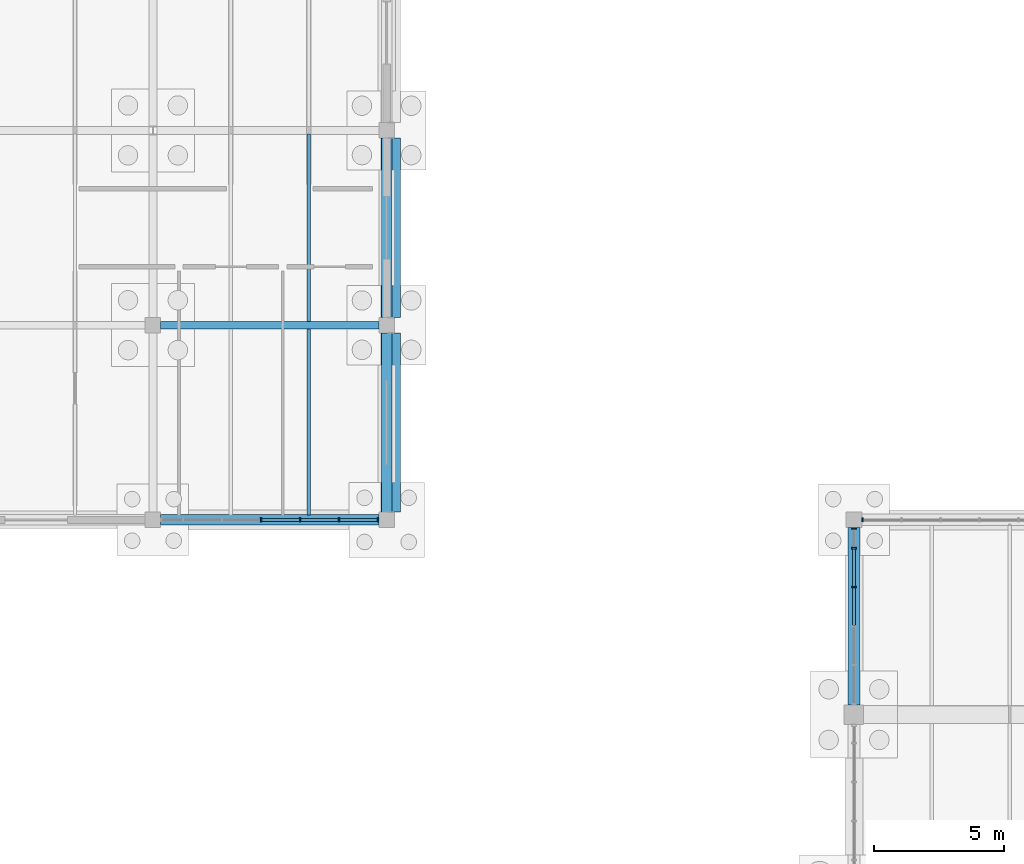
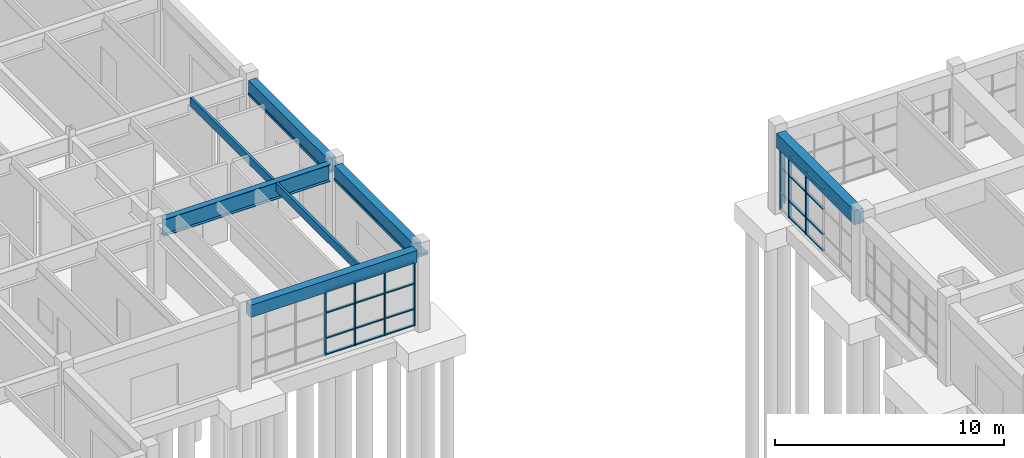
# One storey, part 31 of 93: 30 members, 7 beams, 3 elements without a shape of their own.
"""IFC4 building model written with IfcOpenShell, lengths in metres."""

from ifc_helpers import new_model, si_unit, direction, frame, origin, origin_2d, place, context, subcontext, project, spatial, rectangle, i_section, extrude, material, layer, layer_set, material_profile, profile_set, type_object, element, aggregate, save


model = new_model("IFC4")

# Units and contexts
model_context = context("Model", 3, precision=1e-05, world=origin(), true_north=direction((0.0, 1.0)))
body_context = subcontext(model_context, "Body", "Model", "MODEL_VIEW")
ifc_project = project(units=[si_unit("LENGTHUNIT", "METRE"), si_unit("AREAUNIT", "SQUARE_METRE"), si_unit("VOLUMEUNIT", "CUBIC_METRE"), si_unit("PLANEANGLEUNIT", "RADIAN"), si_unit("MASSUNIT", "GRAM", prefix="KILO")], contexts=[model_context])

# Site, building, storey
site_placement = place(None, origin())
site = spatial("IfcSite", under=ifc_project, at=site_placement, CompositionType="ELEMENT")
building_placement = place(site_placement, origin())
building = spatial("IfcBuilding", under=site, at=building_placement, Name="Marnridge Secondary College", CompositionType="ELEMENT")
storey_placement = place(building_placement, origin())
storey = spatial("IfcBuildingStorey", under=building, at=storey_placement, Name="L00", CompositionType="ELEMENT", Elevation=0.0)

# Beams
ifc_material_1 = material(Name="Engineered timber LVL E13.2", Category="wood")
ifc_material_profile_1 = material_profile(ifc_material_1, rectangle(XDim=0.1259765625, YDim=0.449951171875, at=origin_2d()), Name="LVL 126x450")
ifc_profile_set_1 = profile_set([ifc_material_profile_1], Name="Engineered timber LVL E13.2")
beam_type_1 = type_object("IfcBeamType", Name="BM-LVL450-INT", PredefinedType="JOIST", material=ifc_profile_set_1)
beam_1_placement = place(storey_placement, frame((33.0, 82.694091796875, 3.875), z_axis=(0.0, 1.0, 0.0), x_axis=(-1.0, 0.0, 0.0)))
element("IfcBeam", 1, at=beam_1_placement, inside=storey, type_object=beam_type_1, Name="Beam BJ-L00-0304", PredefinedType="JOIST", context=body_context, shape_type="SweptSolid", body=[
    extrude(rectangle(XDim=0.1259765625, YDim=0.449951171875, at=origin_2d()), origin(), (0.0, 0.0, 1.0), 7.161865234375),
])
beam_2_placement = place(storey_placement, frame((33.0, 90.14404296875, 3.875), z_axis=(0.0, 1.0, 0.0), x_axis=(-1.0, 0.0, 0.0)))
element("IfcBeam", 2, at=beam_2_placement, inside=storey, type_object=beam_type_1, Name="Beam BJ-L00-0306", PredefinedType="JOIST", context=body_context, shape_type="SweptSolid", body=[
    extrude(rectangle(XDim=0.1259765625, YDim=0.449951171875, at=origin_2d()), origin(), (0.0, 0.0, 1.0), 7.2119140625),
])
ifc_material_2 = material(Name="Concrete C40/50 (AS 3600 N40, 40 MPa)", Category="concrete")
ifc_material_profile_2 = material_profile(ifc_material_2, rectangle(XDim=0.39990234375, YDim=0.64990234375, at=origin_2d()), Name="RC 400x650")
ifc_profile_set_2 = profile_set([ifc_material_profile_2], Name="Concrete C40/50 (AS 3600 N40, 40 MPa)")
beam_type_2 = type_object("IfcBeamType", Name="BM-RC4065-EXT", PredefinedType="SPANDREL", material=ifc_profile_set_2)
beam_3_placement = place(storey_placement, frame((27.2939453125, 82.5, 3.77490234375), z_axis=(1.0, 0.0, 0.0), x_axis=(0.0, 1.0, 0.0)))
element("IfcBeam", 3, at=beam_3_placement, inside=storey, type_object=beam_type_2, Name="Beam BS-L00-0260", PredefinedType="SPANDREL", context=body_context, shape_type="SweptSolid", body=[
    extrude(rectangle(XDim=0.39990234375, YDim=0.64990234375, at=origin_2d()), origin(), (0.0, 0.0, 1.0), 8.412109375),
])
for number, where, z_axis, x_axis, name in (
    (4, (36.0, 82.7939453125, 3.77490234375), (0.0, 1.0, 0.0), (-1.0, 0.0, 0.0), "Beam BS-L00-0262"),
    (5, (36.0, 90.2939453125, 3.77490234375), (0.0, 1.0, 0.0), (-1.0, 0.0, 0.0), "Beam BS-L00-0264"),
):
    element("IfcBeam", number, at=place(storey_placement, frame(where, z_axis=z_axis, x_axis=x_axis)), inside=storey, type_object=beam_type_2, Name=name, PredefinedType="SPANDREL", context=body_context, shape_type="SweptSolid", body=[
        extrude(rectangle(XDim=0.39990234375, YDim=0.64990234375, at=origin_2d()), origin(), (0.0, 0.0, 1.0), 6.912109375),
    ])
ifc_material_3 = material(Name="Concrete C40/50 (AS 3600 N40, 40 MPa)", Category="concrete")
ifc_material_profile_3 = material_profile(ifc_material_3, rectangle(XDim=0.449951171875, YDim=0.75, at=origin_2d()), Name="RC 450x750")
ifc_profile_set_3 = profile_set([ifc_material_profile_3], Name="Concrete C40/50 (AS 3600 N40, 40 MPa)")
beam_type_3 = type_object("IfcBeamType", Name="BM-RC4575-EXT", PredefinedType="SPANDREL", material=ifc_profile_set_3)
beam_4_placement = place(storey_placement, frame((54.0, 75.368896484375, 3.705078125), z_axis=(0.0, 1.0, 0.0), x_axis=(-1.0, 0.0, 0.0)))
element("IfcBeam", 6, at=beam_4_placement, inside=storey, type_object=beam_type_3, Name="Beam BS-L00-0052", PredefinedType="SPANDREL", context=body_context, shape_type="SweptSolid", body=[
    extrude(rectangle(XDim=0.449951171875, YDim=0.75, at=origin_2d()), origin(), (0.0, 0.0, 1.0), 6.837158203125),
])
ifc_material_4 = material(Name="Structural steel Grade 350 (AS/NZS 3679.1/.2, fy = 340-360 MPa)", Category="steel")
ifc_material_profile_4 = material_profile(ifc_material_4, i_section(OverallWidth=0.300048828125, OverallDepth=0.89990234375, WebThickness=0.011962890625, FlangeThickness=0.02001953125, at=origin_2d()), Name="900WB175")
ifc_profile_set_4 = profile_set([ifc_material_profile_4], Name="Structural steel Grade 350 (AS/NZS 3679.1/.2, fy = 340-360 MPa)")
beam_type_4 = type_object("IfcBeamType", Name="BM-WB900-INT", PredefinedType="BEAM", material=ifc_profile_set_4)
beam_5_placement = place(storey_placement, frame((27.2939453125, 90.0, 3.64990234375), z_axis=(1.0, 0.0, 0.0), x_axis=(0.0, 1.0, 0.0)))
element("IfcBeam", 7, at=beam_5_placement, inside=storey, type_object=beam_type_4, Name="Beam B-L00-0261", PredefinedType="BEAM", context=body_context, shape_type="SweptSolid", body=[
    extrude(i_section(OverallWidth=0.300048828125, OverallDepth=0.89990234375, WebThickness=0.011962890625, FlangeThickness=0.02001953125, at=origin_2d()), origin(), (0.0, 0.0, 1.0), 8.412109375),
])

# Curtain wall, member
ifc_material_5 = material(Name="Thermally broken aluminium and low-E glazing", Category="aluminium")
ifc_layer = layer(ifc_material_5, 0.159912109375)
ifc_layer_set = layer_set([ifc_layer], Name="CW-MOD-1500")
curtain_wall_type = type_object("IfcCurtainWallType", Name="CW-MOD-1500", PredefinedType="NOTDEFINED", material=ifc_layer_set)
curtain_wall_1_placement = place(storey_placement, origin())
curtain_wall_1 = element("IfcCurtainWall", 8, at=curtain_wall_1_placement, inside=storey, type_object=curtain_wall_type, Name="Unitised curtain wall CW-L00-001", PredefinedType="NOTDEFINED")
ifc_material_6 = material(Name="Anodised aluminium 6063-T6", Category="aluminium")
ifc_material_profile_5 = material_profile(ifc_material_6, rectangle(XDim=0.06005859375, YDim=0.159912109375, at=origin_2d()), Name="ALU 60x160")
ifc_profile_set_5 = profile_set([ifc_material_profile_5], Name="Anodised aluminium 6063-T6")
member_type_1 = type_object("IfcMemberType", Name="CWM-ALU160", PredefinedType="MULLION", material=ifc_profile_set_5)
member_1_placement = place(storey_placement, frame((54.333984375, 82.5, 0.0), z_axis=(0.0, 0.0, 1.0), x_axis=(1.0, 0.0, 0.0)))
member_1 = element("IfcMember", 9, at=member_1_placement, type_object=member_type_1, Name="CW-L00-001 mullion 1", PredefinedType="MULLION", context=body_context, shape_type="SweptSolid", body=[
    extrude(rectangle(XDim=0.06005859375, YDim=0.159912109375, at=origin_2d()), origin(), (0.0, 0.0, 1.0), 3.322021484375),
])
aggregate(curtain_wall_1, [member_1])

# Curtain wall, members
curtain_wall_2_placement = place(storey_placement, origin())
curtain_wall_2 = element("IfcCurtainWall", 10, at=curtain_wall_2_placement, inside=storey, type_object=curtain_wall_type, Name="Unitised curtain wall CW-L00-008", PredefinedType="NOTDEFINED")
member_2_placement = place(storey_placement, frame((54.0, 79.908935546875, 0.0), z_axis=(0.0, 0.0, 1.0), x_axis=(0.0, 1.0, 0.0)))
member_2 = element("IfcMember", 11, at=member_2_placement, type_object=member_type_1, Name="CW-L00-008 mullion 4", PredefinedType="MULLION", context=body_context, shape_type="SweptSolid", body=[
    extrude(rectangle(XDim=0.06005859375, YDim=0.159912109375, at=origin_2d()), origin(), (0.0, 0.0, 1.0), 3.322021484375),
])
member_3_placement = place(storey_placement, frame((54.0, 81.408935546875, 0.0), z_axis=(0.0, 0.0, 1.0), x_axis=(0.0, 1.0, 0.0)))
member_3 = element("IfcMember", 12, at=member_3_placement, type_object=member_type_1, Name="CW-L00-008 mullion 5", PredefinedType="MULLION", context=body_context, shape_type="SweptSolid", body=[
    extrude(rectangle(XDim=0.06005859375, YDim=0.159912109375, at=origin_2d()), origin(), (0.0, 0.0, 1.0), 3.322021484375),
])
member_4_placement = place(storey_placement, frame((54.0, 82.166015625, 0.0), z_axis=(0.0, 0.0, 1.0), x_axis=(0.0, 1.0, 0.0)))
member_4 = element("IfcMember", 13, at=member_4_placement, type_object=member_type_1, Name="CW-L00-008 mullion 6", PredefinedType="MULLION", context=body_context, shape_type="SweptSolid", body=[
    extrude(rectangle(XDim=0.06005859375, YDim=0.159912109375, at=origin_2d()), origin(), (0.0, 0.0, 1.0), 3.322021484375),
])

curtain_wall_3_placement = place(storey_placement, origin())
curtain_wall_3 = element("IfcCurtainWall", 14, at=curtain_wall_3_placement, inside=storey, type_object=curtain_wall_type, Name="Unitised curtain wall CW-L00-014", PredefinedType="NOTDEFINED")
member_5_placement = place(storey_placement, frame((35.666015625, 82.5, 0.0), z_axis=(0.0, 0.0, 1.0), x_axis=(-1.0, 0.0, 0.0)))
member_5 = element("IfcMember", 15, at=member_5_placement, type_object=member_type_1, Name="CW-L00-014 mullion 1", PredefinedType="MULLION", context=body_context, shape_type="SweptSolid", body=[
    extrude(rectangle(XDim=0.06005859375, YDim=0.159912109375, at=origin_2d()), origin(), (0.0, 0.0, 1.0), 3.44189453125),
])
member_6_placement = place(storey_placement, frame((34.166015625, 82.5, 0.0), z_axis=(0.0, 0.0, 1.0), x_axis=(-1.0, 0.0, 0.0)))
member_6 = element("IfcMember", 16, at=member_6_placement, type_object=member_type_1, Name="CW-L00-014 mullion 2", PredefinedType="MULLION", context=body_context, shape_type="SweptSolid", body=[
    extrude(rectangle(XDim=0.06005859375, YDim=0.159912109375, at=origin_2d()), origin(), (0.0, 0.0, 1.0), 3.44189453125),
])
member_7_placement = place(storey_placement, frame((32.666015625, 82.5, 0.0), z_axis=(0.0, 0.0, 1.0), x_axis=(-1.0, 0.0, 0.0)))
member_7 = element("IfcMember", 17, at=member_7_placement, type_object=member_type_1, Name="CW-L00-014 mullion 3", PredefinedType="MULLION", context=body_context, shape_type="SweptSolid", body=[
    extrude(rectangle(XDim=0.06005859375, YDim=0.159912109375, at=origin_2d()), origin(), (0.0, 0.0, 1.0), 3.44189453125),
])
member_8_placement = place(storey_placement, frame((31.166015625, 82.5, 0.0), z_axis=(0.0, 0.0, 1.0), x_axis=(-1.0, 0.0, 0.0)))
member_8 = element("IfcMember", 18, at=member_8_placement, type_object=member_type_1, Name="CW-L00-014 mullion 4", PredefinedType="MULLION", context=body_context, shape_type="SweptSolid", body=[
    extrude(rectangle(XDim=0.06005859375, YDim=0.159912109375, at=origin_2d()), origin(), (0.0, 0.0, 1.0), 3.44189453125),
])

# Member
ifc_material_7 = material(Name="Anodised aluminium 6063-T6", Category="aluminium")
ifc_material_profile_6 = material_profile(ifc_material_7, rectangle(XDim=0.06005859375, YDim=0.1201171875, at=origin_2d()), Name="ALU 60x120")
ifc_profile_set_6 = profile_set([ifc_material_profile_6], Name="Anodised aluminium 6063-T6")
member_type_2 = type_object("IfcMemberType", Name="CWT-ALU120", PredefinedType="USERDEFINED", material=ifc_profile_set_6)
member_9_placement = place(storey_placement, frame((54.0, 78.43896484375, 0.030029296875), z_axis=(0.0, 1.0, 0.0), x_axis=(0.0, 0.0, 1.0)))
member_9 = element("IfcMember", 19, at=member_9_placement, type_object=member_type_2, Name="CW-L00-008 transom 3.1", ObjectType="TRANSOM", PredefinedType="USERDEFINED", context=body_context, shape_type="SweptSolid", body=[
    extrude(rectangle(XDim=0.06005859375, YDim=0.1201171875, at=origin_2d()), origin(), (0.0, 0.0, 1.0), 1.43994140625),
])

member_10_placement = place(storey_placement, frame((54.0, 78.43896484375, 0.89990234375), z_axis=(0.0, 1.0, 0.0), x_axis=(0.0, 0.0, 1.0)))
member_10 = element("IfcMember", 20, at=member_10_placement, type_object=member_type_2, Name="CW-L00-008 transom 3.2", ObjectType="TRANSOM", PredefinedType="USERDEFINED", context=body_context, shape_type="SweptSolid", body=[
    extrude(rectangle(XDim=0.06005859375, YDim=0.1201171875, at=origin_2d()), origin(), (0.0, 0.0, 1.0), 1.43994140625),
])

member_11_placement = place(storey_placement, frame((54.0, 78.43896484375, 2.25), z_axis=(0.0, 1.0, 0.0), x_axis=(0.0, 0.0, 1.0)))
member_11 = element("IfcMember", 21, at=member_11_placement, type_object=member_type_2, Name="CW-L00-008 transom 3.3", ObjectType="TRANSOM", PredefinedType="USERDEFINED", context=body_context, shape_type="SweptSolid", body=[
    extrude(rectangle(XDim=0.06005859375, YDim=0.1201171875, at=origin_2d()), origin(), (0.0, 0.0, 1.0), 1.43994140625),
])

member_12_placement = place(storey_placement, frame((54.0, 78.43896484375, 3.2919921875), z_axis=(0.0, 1.0, 0.0), x_axis=(0.0, 0.0, 1.0)))
member_12 = element("IfcMember", 22, at=member_12_placement, type_object=member_type_2, Name="CW-L00-008 transom 3.4", ObjectType="TRANSOM", PredefinedType="USERDEFINED", context=body_context, shape_type="SweptSolid", body=[
    extrude(rectangle(XDim=0.06005859375, YDim=0.1201171875, at=origin_2d()), origin(), (0.0, 0.0, 1.0), 1.43994140625),
])

member_13_placement = place(storey_placement, frame((54.0, 79.93896484375, 0.030029296875), z_axis=(0.0, 1.0, 0.0), x_axis=(0.0, 0.0, 1.0)))
member_13 = element("IfcMember", 23, at=member_13_placement, type_object=member_type_2, Name="CW-L00-008 transom 4.1", ObjectType="TRANSOM", PredefinedType="USERDEFINED", context=body_context, shape_type="SweptSolid", body=[
    extrude(rectangle(XDim=0.06005859375, YDim=0.1201171875, at=origin_2d()), origin(), (0.0, 0.0, 1.0), 1.43994140625),
])

member_14_placement = place(storey_placement, frame((54.0, 79.93896484375, 0.89990234375), z_axis=(0.0, 1.0, 0.0), x_axis=(0.0, 0.0, 1.0)))
member_14 = element("IfcMember", 24, at=member_14_placement, type_object=member_type_2, Name="CW-L00-008 transom 4.2", ObjectType="TRANSOM", PredefinedType="USERDEFINED", context=body_context, shape_type="SweptSolid", body=[
    extrude(rectangle(XDim=0.06005859375, YDim=0.1201171875, at=origin_2d()), origin(), (0.0, 0.0, 1.0), 1.43994140625),
])

member_15_placement = place(storey_placement, frame((54.0, 79.93896484375, 2.25), z_axis=(0.0, 1.0, 0.0), x_axis=(0.0, 0.0, 1.0)))
member_15 = element("IfcMember", 25, at=member_15_placement, type_object=member_type_2, Name="CW-L00-008 transom 4.3", ObjectType="TRANSOM", PredefinedType="USERDEFINED", context=body_context, shape_type="SweptSolid", body=[
    extrude(rectangle(XDim=0.06005859375, YDim=0.1201171875, at=origin_2d()), origin(), (0.0, 0.0, 1.0), 1.43994140625),
])

member_16_placement = place(storey_placement, frame((54.0, 79.93896484375, 3.2919921875), z_axis=(0.0, 1.0, 0.0), x_axis=(0.0, 0.0, 1.0)))
member_16 = element("IfcMember", 26, at=member_16_placement, type_object=member_type_2, Name="CW-L00-008 transom 4.4", ObjectType="TRANSOM", PredefinedType="USERDEFINED", context=body_context, shape_type="SweptSolid", body=[
    extrude(rectangle(XDim=0.06005859375, YDim=0.1201171875, at=origin_2d()), origin(), (0.0, 0.0, 1.0), 1.43994140625),
])

aggregate(curtain_wall_2, [member_2, member_3, member_4, member_9, member_10, member_11, member_12, member_13, member_14, member_15, member_16])

member_17_placement = place(storey_placement, frame((35.635986328125, 82.5, 0.030029296875), z_axis=(-1.0, 0.0, 0.0), x_axis=(0.0, 0.0, 1.0)))
member_17 = element("IfcMember", 27, at=member_17_placement, type_object=member_type_2, Name="CW-L00-014 transom 1.1", ObjectType="TRANSOM", PredefinedType="USERDEFINED", context=body_context, shape_type="SweptSolid", body=[
    extrude(rectangle(XDim=0.06005859375, YDim=0.1201171875, at=origin_2d()), origin(), (0.0, 0.0, 1.0), 1.43994140625),
])

member_18_placement = place(storey_placement, frame((35.635986328125, 82.5, 0.89990234375), z_axis=(-1.0, 0.0, 0.0), x_axis=(0.0, 0.0, 1.0)))
member_18 = element("IfcMember", 28, at=member_18_placement, type_object=member_type_2, Name="CW-L00-014 transom 1.2", ObjectType="TRANSOM", PredefinedType="USERDEFINED", context=body_context, shape_type="SweptSolid", body=[
    extrude(rectangle(XDim=0.06005859375, YDim=0.1201171875, at=origin_2d()), origin(), (0.0, 0.0, 1.0), 1.43994140625),
])

member_19_placement = place(storey_placement, frame((35.635986328125, 82.5, 2.25), z_axis=(-1.0, 0.0, 0.0), x_axis=(0.0, 0.0, 1.0)))
member_19 = element("IfcMember", 29, at=member_19_placement, type_object=member_type_2, Name="CW-L00-014 transom 1.3", ObjectType="TRANSOM", PredefinedType="USERDEFINED", context=body_context, shape_type="SweptSolid", body=[
    extrude(rectangle(XDim=0.06005859375, YDim=0.1201171875, at=origin_2d()), origin(), (0.0, 0.0, 1.0), 1.43994140625),
])

member_20_placement = place(storey_placement, frame((35.635986328125, 82.5, 3.412109375), z_axis=(-1.0, 0.0, 0.0), x_axis=(0.0, 0.0, 1.0)))
member_20 = element("IfcMember", 30, at=member_20_placement, type_object=member_type_2, Name="CW-L00-014 transom 1.4", ObjectType="TRANSOM", PredefinedType="USERDEFINED", context=body_context, shape_type="SweptSolid", body=[
    extrude(rectangle(XDim=0.06005859375, YDim=0.1201171875, at=origin_2d()), origin(), (0.0, 0.0, 1.0), 1.43994140625),
])

member_21_placement = place(storey_placement, frame((34.135986328125, 82.5, 0.030029296875), z_axis=(-1.0, 0.0, 0.0), x_axis=(0.0, 0.0, 1.0)))
member_21 = element("IfcMember", 31, at=member_21_placement, type_object=member_type_2, Name="CW-L00-014 transom 2.1", ObjectType="TRANSOM", PredefinedType="USERDEFINED", context=body_context, shape_type="SweptSolid", body=[
    extrude(rectangle(XDim=0.06005859375, YDim=0.1201171875, at=origin_2d()), origin(), (0.0, 0.0, 1.0), 1.43994140625),
])

member_22_placement = place(storey_placement, frame((34.135986328125, 82.5, 0.89990234375), z_axis=(-1.0, 0.0, 0.0), x_axis=(0.0, 0.0, 1.0)))
member_22 = element("IfcMember", 32, at=member_22_placement, type_object=member_type_2, Name="CW-L00-014 transom 2.2", ObjectType="TRANSOM", PredefinedType="USERDEFINED", context=body_context, shape_type="SweptSolid", body=[
    extrude(rectangle(XDim=0.06005859375, YDim=0.1201171875, at=origin_2d()), origin(), (0.0, 0.0, 1.0), 1.43994140625),
])

member_23_placement = place(storey_placement, frame((34.135986328125, 82.5, 2.25), z_axis=(-1.0, 0.0, 0.0), x_axis=(0.0, 0.0, 1.0)))
member_23 = element("IfcMember", 33, at=member_23_placement, type_object=member_type_2, Name="CW-L00-014 transom 2.3", ObjectType="TRANSOM", PredefinedType="USERDEFINED", context=body_context, shape_type="SweptSolid", body=[
    extrude(rectangle(XDim=0.06005859375, YDim=0.1201171875, at=origin_2d()), origin(), (0.0, 0.0, 1.0), 1.43994140625),
])

member_24_placement = place(storey_placement, frame((34.135986328125, 82.5, 3.412109375), z_axis=(-1.0, 0.0, 0.0), x_axis=(0.0, 0.0, 1.0)))
member_24 = element("IfcMember", 34, at=member_24_placement, type_object=member_type_2, Name="CW-L00-014 transom 2.4", ObjectType="TRANSOM", PredefinedType="USERDEFINED", context=body_context, shape_type="SweptSolid", body=[
    extrude(rectangle(XDim=0.06005859375, YDim=0.1201171875, at=origin_2d()), origin(), (0.0, 0.0, 1.0), 1.43994140625),
])

member_25_placement = place(storey_placement, frame((32.635986328125, 82.5, 0.030029296875), z_axis=(-1.0, 0.0, 0.0), x_axis=(0.0, 0.0, 1.0)))
member_25 = element("IfcMember", 35, at=member_25_placement, type_object=member_type_2, Name="CW-L00-014 transom 3.1", ObjectType="TRANSOM", PredefinedType="USERDEFINED", context=body_context, shape_type="SweptSolid", body=[
    extrude(rectangle(XDim=0.06005859375, YDim=0.1201171875, at=origin_2d()), origin(), (0.0, 0.0, 1.0), 1.43994140625),
])

member_26_placement = place(storey_placement, frame((32.635986328125, 82.5, 0.89990234375), z_axis=(-1.0, 0.0, 0.0), x_axis=(0.0, 0.0, 1.0)))
member_26 = element("IfcMember", 36, at=member_26_placement, type_object=member_type_2, Name="CW-L00-014 transom 3.2", ObjectType="TRANSOM", PredefinedType="USERDEFINED", context=body_context, shape_type="SweptSolid", body=[
    extrude(rectangle(XDim=0.06005859375, YDim=0.1201171875, at=origin_2d()), origin(), (0.0, 0.0, 1.0), 1.43994140625),
])

member_27_placement = place(storey_placement, frame((32.635986328125, 82.5, 2.25), z_axis=(-1.0, 0.0, 0.0), x_axis=(0.0, 0.0, 1.0)))
member_27 = element("IfcMember", 37, at=member_27_placement, type_object=member_type_2, Name="CW-L00-014 transom 3.3", ObjectType="TRANSOM", PredefinedType="USERDEFINED", context=body_context, shape_type="SweptSolid", body=[
    extrude(rectangle(XDim=0.06005859375, YDim=0.1201171875, at=origin_2d()), origin(), (0.0, 0.0, 1.0), 1.43994140625),
])

member_28_placement = place(storey_placement, frame((32.635986328125, 82.5, 3.412109375), z_axis=(-1.0, 0.0, 0.0), x_axis=(0.0, 0.0, 1.0)))
member_28 = element("IfcMember", 38, at=member_28_placement, type_object=member_type_2, Name="CW-L00-014 transom 3.4", ObjectType="TRANSOM", PredefinedType="USERDEFINED", context=body_context, shape_type="SweptSolid", body=[
    extrude(rectangle(XDim=0.06005859375, YDim=0.1201171875, at=origin_2d()), origin(), (0.0, 0.0, 1.0), 1.43994140625),
])

aggregate(curtain_wall_3, [member_5, member_6, member_7, member_8, member_17, member_18, member_19, member_20, member_21, member_22, member_23, member_24, member_25, member_26, member_27, member_28])

# Members
ifc_material_8 = material(Name="Precast concrete C40/50 (AS 3600 N40, 40 MPa)", Category="concrete")
ifc_material_profile_7 = material_profile(ifc_material_8, rectangle(XDim=0.139892578125, YDim=0.75, at=origin_2d()), Name="FIN PC 140x750")
ifc_profile_set_7 = profile_set([ifc_material_profile_7], Name="Precast concrete C40/50 (AS 3600 N40, 40 MPa)")
member_type_3 = type_object("IfcMemberType", Name="MB-FIN-PC750", PredefinedType="USERDEFINED", material=ifc_profile_set_7)
for number, where, z_axis, x_axis, name in (
    (39, (36.159912109375, 97.199951171875, 3.362060546875), (0.0, -1.0, 0.0), (0.0, 0.0, 1.0), "Solar shading fin SFN-0017"),
    (40, (36.159912109375, 89.699951171875, 3.362060546875), (0.0, -1.0, 0.0), (0.0, 0.0, 1.0), "Solar shading fin SFN-0018"),
):
    element("IfcMember", number, at=place(storey_placement, frame(where, z_axis=z_axis, x_axis=x_axis)), inside=storey, type_object=member_type_3, Name=name, ObjectType="SOLAR FIN", PredefinedType="USERDEFINED", context=body_context, shape_type="SweptSolid", body=[
        extrude(rectangle(XDim=0.139892578125, YDim=0.75, at=origin_2d()), origin(), (0.0, 0.0, 1.0), 6.89990234375),
    ])

save(model, "model.ifc")
